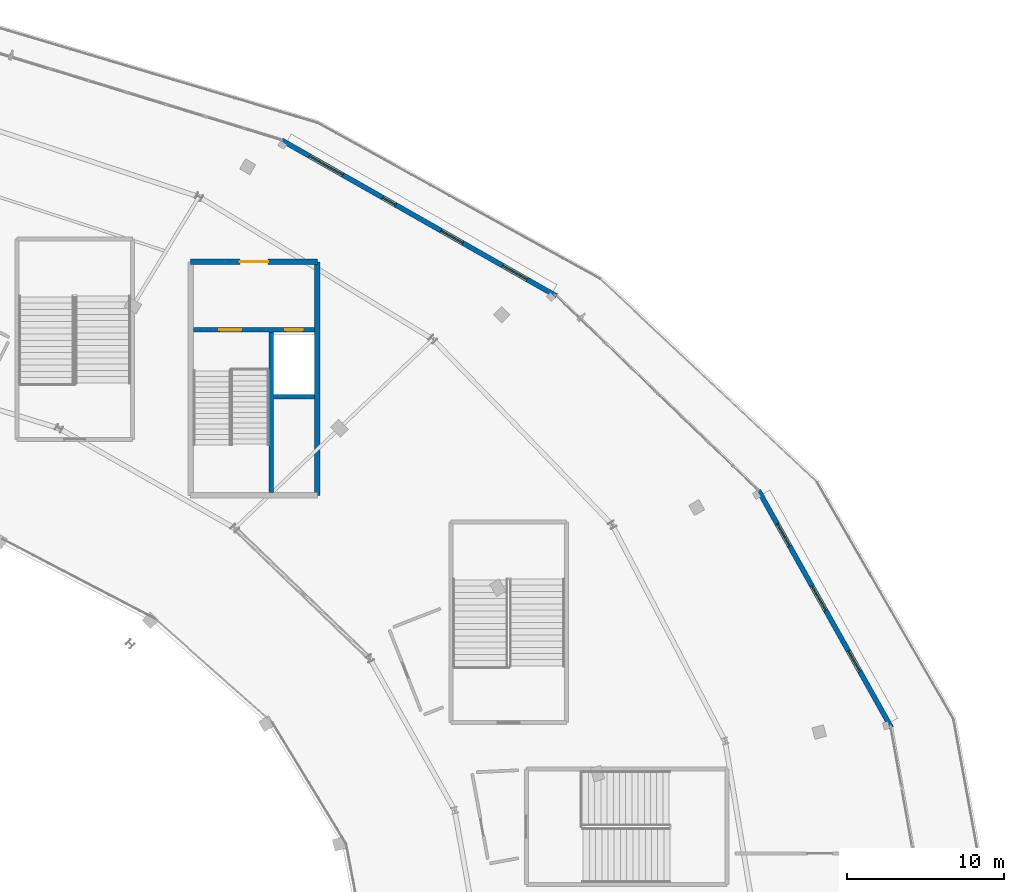
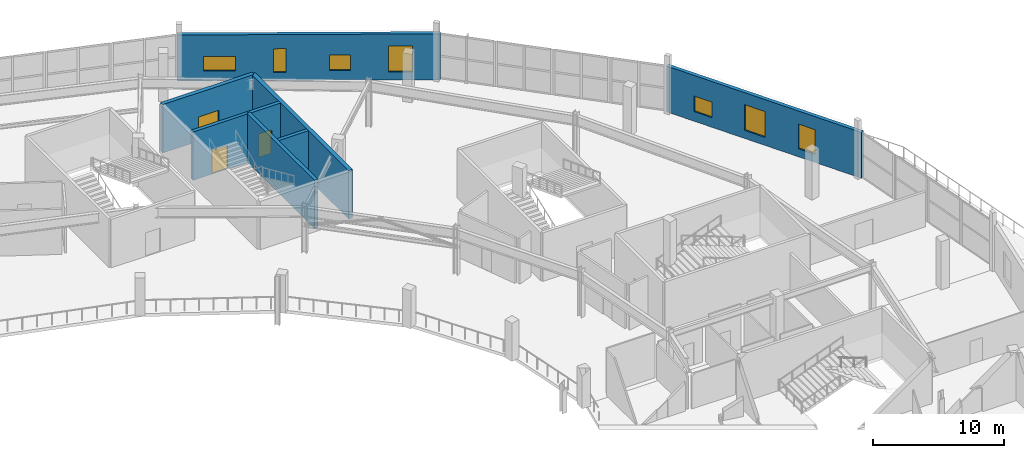
# One storey, part 94 of 123: 7 walls, 7 windows, 3 doors, 10 openings.
"""IFC4 building model written with IfcOpenShell, lengths in metres."""

from ifc_helpers import new_model, si_unit, direction, frame, frame_2d, origin, place, context, subcontext, project, spatial, rectangle, extrude, material, layer, layer_set, type_object, element, fill, save


model = new_model("IFC4")

# Units and contexts
model_context = context("Model", 3, precision=1e-05, world=origin(), true_north=direction((0.0, 1.0)))
body_context = subcontext(model_context, "Body", "Model", "MODEL_VIEW")
ifc_project = project(units=[si_unit("LENGTHUNIT", "METRE"), si_unit("AREAUNIT", "SQUARE_METRE"), si_unit("VOLUMEUNIT", "CUBIC_METRE"), si_unit("PLANEANGLEUNIT", "RADIAN"), si_unit("MASSUNIT", "GRAM", prefix="KILO")], contexts=[model_context])

# Site, building, storey
site_placement = place(None, origin())
site = spatial("IfcSite", under=ifc_project, at=site_placement, CompositionType="ELEMENT")
building_placement = place(site_placement, origin())
building = spatial("IfcBuilding", under=site, at=building_placement, Name="Kalgoora Escarpment Arena", CompositionType="ELEMENT")
storey_placement = place(building_placement, frame((0.0, 0.0, 9.89990234375)))
storey = spatial("IfcBuildingStorey", under=building, at=storey_placement, Name="L02", CompositionType="ELEMENT", Elevation=9.89990234375)

# Wall, opening, door
ifc_material_1 = material(Name="Concrete N50 (fc' 50 MPa)", Category="concrete")
ifc_layer_1 = layer(ifc_material_1, 0.35009765625)
ifc_layer_set_1 = layer_set([ifc_layer_1], Name="WAL-CORE-350")
wall_type_1 = type_object("IfcWallType", Name="WAL-CORE-350", PredefinedType="SHEAR", material=ifc_layer_set_1)
wall_1_placement = place(storey_placement, frame((127.77490234375, 109.22509765625, 0.0), z_axis=(0.0, 0.0, 1.0), x_axis=(1.0, 0.0, 0.0)))
wall_1 = element("IfcWall", 1, at=wall_1_placement, inside=storey, type_object=wall_type_1, Name="Core C4 L02 north lobby wall", PredefinedType="SHEAR", context=body_context, shape_type="SweptSolid", body=[
    extrude(rectangle(XDim=8.050048828125, YDim=0.35009765625, at=frame_2d((4.02490234375, 0.0))), origin(), (0.0, 0.0, 1.0), 4.5),
])
opening_1_placement = place(wall_1_placement, frame((3.125, 0.0, 0.0)))
opening_1 = element("IfcOpeningElement", 2, at=opening_1_placement, cuts=wall_1, Name="Opening FD-C4L", PredefinedType="OPENING", context=body_context, shape_type="SweptSolid", body=[
    extrude(rectangle(XDim=1.800048828125, YDim=2.25, at=frame_2d((0.89990234375, 1.125))), frame((0.0, 0.18505859375, 0.0), z_axis=(0.0, -1.0, 0.0), x_axis=(1.0, 0.0, 0.0)), (0.0, 0.0, 1.0), 0.3701171875),
])
ifc_material_2 = material(Name="Double fire-rated smoke-seal lobby door")
door_type_1 = type_object("IfcDoorType", Name="DR-LOBBY-1800", OperationType="NOTDEFINED", PredefinedType="DOOR", material=ifc_material_2)
door_1_placement = place(opening_1_placement, origin())
door_1 = element("IfcDoor", 3, at=door_1_placement, inside=storey, type_object=door_type_1, Name="Core C4 L02 smoke-lobby fire door", OperationType="DOUBLE_DOOR_SINGLE_SWING", OverallHeight=2.25, OverallWidth=1.800048828125, PredefinedType="DOOR", context=body_context, shape_type="SweptSolid", body=[
    extrude(rectangle(XDim=1.800048828125, YDim=2.25, at=frame_2d((0.89990234375, 1.125))), frame((0.0, 0.02490234375, 0.0), z_axis=(0.0, -1.0, 0.0), x_axis=(1.0, 0.0, 0.0)), (0.0, 0.0, 1.0), 0.050048828125),
])
fill(opening_1, door_1)

# Wall
wall_2_placement = place(storey_placement, frame((135.824951171875, 94.375, 0.0), z_axis=(0.0, 0.0, 1.0), x_axis=(0.0, 1.0, 0.0)))
element("IfcWall", 4, at=wall_2_placement, inside=storey, type_object=wall_type_1, Name="Core C4 L02 east shear wall", PredefinedType="SHEAR", context=body_context, shape_type="SweptSolid", body=[
    extrude(rectangle(XDim=14.85009765625, YDim=0.35009765625, at=frame_2d((7.425048828125, 0.0))), origin(), (0.0, 0.0, 1.0), 4.5),
])

# Wall, openings, windows
ifc_material_3 = material(Name="Insulated limestone cladding precast wall 40 MPa", Category="masonry")
ifc_layer_2 = layer(ifc_material_3, 0.31494140625)
ifc_layer_set_2 = layer_set([ifc_layer_2], Name="WAL-EXT-315")
wall_type_2 = type_object("IfcWallType", Name="WAL-EXT-315", PredefinedType="SOLIDWALL", material=ifc_layer_set_2)
wall_3_placement = place(storey_placement, frame((133.5634765625, 116.953857421875, 0.0), z_axis=(0.0, 0.0, 1.0), x_axis=(0.869839071827, -0.493335574557, 0.0)))
wall_3 = element("IfcWall", 5, at=wall_3_placement, inside=storey, type_object=wall_type_2, Name="L02 limestone-faced external wall 049", PredefinedType="SOLIDWALL", context=body_context, shape_type="SweptSolid", body=[
    extrude(rectangle(XDim=20.07958984375, YDim=0.31494140625, at=frame_2d((10.039794921875, 0.0))), origin(), (0.0, 0.0, 1.0), 4.26513671875),
])
opening_2_placement = place(wall_3_placement, frame((2.02490234375, 0.0, 0.89990234375)))
opening_2 = element("IfcOpeningElement", 6, at=opening_2_placement, cuts=wall_3, Name="Opening W-15", PredefinedType="OPENING", context=body_context, shape_type="SweptSolid", body=[
    extrude(rectangle(XDim=2.449951171875, YDim=1.35009765625, at=frame_2d((1.22509765625, 0.675048828125))), frame((0.0, 0.16748046875, 0.0), z_axis=(0.0, -1.0, 0.0), x_axis=(1.0, 0.0, 0.0)), (0.0, 0.0, 1.0), 0.3349609375),
])
opening_3_placement = place(wall_3_placement, frame((7.375, 0.0, 0.75)))
opening_3 = element("IfcOpeningElement", 7, at=opening_3_placement, cuts=wall_3, Name="Opening W-17", PredefinedType="OPENING", context=body_context, shape_type="SweptSolid", body=[
    extrude(rectangle(XDim=0.949951171875, YDim=2.199951171875, at=frame_2d((0.47509765625, 1.10009765625))), frame((0.0, 0.16748046875, 0.0), z_axis=(0.0, -1.0, 0.0), x_axis=(1.0, 0.0, 0.0)), (0.0, 0.0, 1.0), 0.3349609375),
])
opening_4_placement = place(wall_3_placement, frame((11.64990234375, 0.0, 0.89990234375)))
opening_4 = element("IfcOpeningElement", 8, at=opening_4_placement, cuts=wall_3, Name="Opening W-19", PredefinedType="OPENING", context=body_context, shape_type="SweptSolid", body=[
    extrude(rectangle(XDim=1.60009765625, YDim=1.449951171875, at=frame_2d((0.800048828125, 0.72509765625))), frame((0.0, 0.16748046875, 0.0), z_axis=(0.0, -1.0, 0.0), x_axis=(1.0, 0.0, 0.0)), (0.0, 0.0, 1.0), 0.3349609375),
])
opening_5_placement = place(wall_3_placement, frame((16.14990234375, 0.0, 0.75)))
opening_5 = element("IfcOpeningElement", 9, at=opening_5_placement, cuts=wall_3, Name="Opening W-01", PredefinedType="OPENING", context=body_context, shape_type="SweptSolid", body=[
    extrude(rectangle(XDim=1.800048828125, YDim=2.39990234375, at=frame_2d((0.89990234375, 1.199951171875))), frame((0.0, 0.16748046875, 0.0), z_axis=(0.0, -1.0, 0.0), x_axis=(1.0, 0.0, 0.0)), (0.0, 0.0, 1.0), 0.3349609375),
])
ifc_material_4 = material(Name="Low-E solar-control double glazing in champagne frame", Category="glass")
window_type_1 = type_object("IfcWindowType", Name="WIN-BOH-1600x1450", PartitioningType="SINGLE_PANEL", PredefinedType="WINDOW", material=ifc_material_4)
window_1_placement = place(opening_4_placement, origin())
window_1 = element("IfcWindow", 10, at=window_1_placement, inside=storey, type_object=window_type_1, Name="L02 scheduled facade window 057", OverallHeight=1.449951171875, OverallWidth=1.60009765625, PartitioningType="SINGLE_PANEL", PredefinedType="WINDOW", context=body_context, shape_type="SweptSolid", body=[
    extrude(rectangle(XDim=1.60009765625, YDim=1.449951171875, at=frame_2d((0.800048828125, 0.72509765625))), frame((0.0, 0.030029296875, 0.0), z_axis=(0.0, -1.0, 0.0), x_axis=(1.0, 0.0, 0.0)), (0.0, 0.0, 1.0), 0.06005859375),
])
fill(opening_4, window_1)
ifc_material_5 = material(Name="Low-E solar-control double glazing in champagne frame", Category="glass")
window_type_2 = type_object("IfcWindowType", Name="WIN-CLER-2450x1350", PartitioningType="SINGLE_PANEL", PredefinedType="WINDOW", material=ifc_material_5)
window_2_placement = place(opening_2_placement, origin())
window_2 = element("IfcWindow", 11, at=window_2_placement, inside=storey, type_object=window_type_2, Name="L02 scheduled facade window 055", OverallHeight=1.35009765625, OverallWidth=2.449951171875, PartitioningType="SINGLE_PANEL", PredefinedType="WINDOW", context=body_context, shape_type="SweptSolid", body=[
    extrude(rectangle(XDim=2.449951171875, YDim=1.35009765625, at=frame_2d((1.22509765625, 0.675048828125))), frame((0.0, 0.030029296875, 0.0), z_axis=(0.0, -1.0, 0.0), x_axis=(1.0, 0.0, 0.0)), (0.0, 0.0, 1.0), 0.06005859375),
])
fill(opening_2, window_2)
ifc_material_6 = material(Name="Low-E solar-control double glazing in champagne frame", Category="glass")
window_type_3 = type_object("IfcWindowType", Name="WIN-DECO-1800x2400", PartitioningType="SINGLE_PANEL", PredefinedType="WINDOW", material=ifc_material_6)
window_3_placement = place(opening_5_placement, origin())
window_3 = element("IfcWindow", 12, at=window_3_placement, inside=storey, type_object=window_type_3, Name="L02 scheduled facade window 058", OverallHeight=2.39990234375, OverallWidth=1.800048828125, PartitioningType="SINGLE_PANEL", PredefinedType="WINDOW", context=body_context, shape_type="SweptSolid", body=[
    extrude(rectangle(XDim=1.800048828125, YDim=2.39990234375, at=frame_2d((0.89990234375, 1.199951171875))), frame((0.0, 0.030029296875, 0.0), z_axis=(0.0, -1.0, 0.0), x_axis=(1.0, 0.0, 0.0)), (0.0, 0.0, 1.0), 0.06005859375),
])
fill(opening_5, window_3)
ifc_material_7 = material(Name="Low-E solar-control double glazing in champagne frame", Category="glass")
window_type_4 = type_object("IfcWindowType", Name="WIN-SLOT-0950x2200", PartitioningType="SINGLE_PANEL", PredefinedType="WINDOW", material=ifc_material_7)
window_4_placement = place(opening_3_placement, origin())
window_4 = element("IfcWindow", 13, at=window_4_placement, inside=storey, type_object=window_type_4, Name="L02 scheduled facade window 056", OverallHeight=2.199951171875, OverallWidth=0.949951171875, PartitioningType="SINGLE_PANEL", PredefinedType="WINDOW", context=body_context, shape_type="SweptSolid", body=[
    extrude(rectangle(XDim=0.949951171875, YDim=2.199951171875, at=frame_2d((0.47509765625, 1.10009765625))), frame((0.0, 0.030029296875, 0.0), z_axis=(0.0, -1.0, 0.0), x_axis=(1.0, 0.0, 0.0)), (0.0, 0.0, 1.0), 0.06005859375),
])
fill(opening_3, window_4)

wall_4_placement = place(storey_placement, frame((163.880126953125, 94.682373046875, 0.0), z_axis=(0.0, 0.0, 1.0), x_axis=(0.488873868997, -0.872354480823, 0.0)))
wall_4 = element("IfcWall", 14, at=wall_4_placement, inside=storey, type_object=wall_type_2, Name="L02 limestone-faced external wall 050", PredefinedType="SOLIDWALL", context=body_context, shape_type="SweptSolid", body=[
    extrude(rectangle(XDim=17.285400390625, YDim=0.31494140625, at=frame_2d((8.642578125, 0.0))), origin(), (0.0, 0.0, 1.0), 4.26513671875),
])
opening_6_placement = place(wall_4_placement, frame((2.449951171875, 0.0, 0.89990234375)))
opening_6 = element("IfcOpeningElement", 15, at=opening_6_placement, cuts=wall_4, Name="Opening W-19", PredefinedType="OPENING", context=body_context, shape_type="SweptSolid", body=[
    extrude(rectangle(XDim=1.60009765625, YDim=1.449951171875, at=frame_2d((0.800048828125, 0.72509765625))), frame((0.0, 0.16748046875, 0.0), z_axis=(0.0, -1.0, 0.0), x_axis=(1.0, 0.0, 0.0)), (0.0, 0.0, 1.0), 0.3349609375),
])
opening_7_placement = place(wall_4_placement, frame((6.949951171875, 0.0, 0.75)))
opening_7 = element("IfcOpeningElement", 16, at=opening_7_placement, cuts=wall_4, Name="Opening W-01", PredefinedType="OPENING", context=body_context, shape_type="SweptSolid", body=[
    extrude(rectangle(XDim=1.800048828125, YDim=2.39990234375, at=frame_2d((0.89990234375, 1.199951171875))), frame((0.0, 0.16748046875, 0.0), z_axis=(0.0, -1.0, 0.0), x_axis=(1.0, 0.0, 0.0)), (0.0, 0.0, 1.0), 0.3349609375),
])
opening_8_placement = place(wall_4_placement, frame((11.699951171875, 0.0, 0.75)))
opening_8 = element("IfcOpeningElement", 17, at=opening_8_placement, cuts=wall_4, Name="Opening W-03", PredefinedType="OPENING", context=body_context, shape_type="SweptSolid", body=[
    extrude(rectangle(XDim=1.5, YDim=2.300048828125, at=frame_2d((0.75, 1.14990234375))), frame((0.0, 0.16748046875, 0.0), z_axis=(0.0, -1.0, 0.0), x_axis=(1.0, 0.0, 0.0)), (0.0, 0.0, 1.0), 0.3349609375),
])
window_5_placement = place(opening_6_placement, origin())
window_5 = element("IfcWindow", 18, at=window_5_placement, inside=storey, type_object=window_type_1, Name="L02 scheduled facade window 059", OverallHeight=1.449951171875, OverallWidth=1.60009765625, PartitioningType="SINGLE_PANEL", PredefinedType="WINDOW", context=body_context, shape_type="SweptSolid", body=[
    extrude(rectangle(XDim=1.60009765625, YDim=1.449951171875, at=frame_2d((0.800048828125, 0.72509765625))), frame((0.0, 0.030029296875, 0.0), z_axis=(0.0, -1.0, 0.0), x_axis=(1.0, 0.0, 0.0)), (0.0, 0.0, 1.0), 0.06005859375),
])
fill(opening_6, window_5)
ifc_material_8 = material(Name="Low-E solar-control double glazing in champagne frame", Category="glass")
window_type_5 = type_object("IfcWindowType", Name="WIN-DECO-1500x2300", PartitioningType="SINGLE_PANEL", PredefinedType="WINDOW", material=ifc_material_8)
window_6_placement = place(opening_8_placement, origin())
window_6 = element("IfcWindow", 19, at=window_6_placement, inside=storey, type_object=window_type_5, Name="L02 scheduled facade window 061", OverallHeight=2.300048828125, OverallWidth=1.5, PartitioningType="SINGLE_PANEL", PredefinedType="WINDOW", context=body_context, shape_type="SweptSolid", body=[
    extrude(rectangle(XDim=1.5, YDim=2.300048828125, at=frame_2d((0.75, 1.14990234375))), frame((0.0, 0.030029296875, 0.0), z_axis=(0.0, -1.0, 0.0), x_axis=(1.0, 0.0, 0.0)), (0.0, 0.0, 1.0), 0.06005859375),
])
fill(opening_8, window_6)
window_7_placement = place(opening_7_placement, origin())
window_7 = element("IfcWindow", 20, at=window_7_placement, inside=storey, type_object=window_type_3, Name="L02 scheduled facade window 060", OverallHeight=2.39990234375, OverallWidth=1.800048828125, PartitioningType="SINGLE_PANEL", PredefinedType="WINDOW", context=body_context, shape_type="SweptSolid", body=[
    extrude(rectangle(XDim=1.800048828125, YDim=2.39990234375, at=frame_2d((0.89990234375, 1.199951171875))), frame((0.0, 0.030029296875, 0.0), z_axis=(0.0, -1.0, 0.0), x_axis=(1.0, 0.0, 0.0)), (0.0, 0.0, 1.0), 0.06005859375),
])
fill(opening_7, window_7)

# Wall, openings, doors
ifc_material_9 = material(Name="Concrete N50 (fc' 50 MPa)", Category="concrete")
ifc_layer_3 = layer(ifc_material_9, 0.300048828125)
ifc_layer_set_3 = layer_set([ifc_layer_3], Name="WAL-SHAFT-300")
wall_type_3 = type_object("IfcWallType", Name="WAL-SHAFT-300", PredefinedType="SHEAR", material=ifc_layer_set_3)
wall_5_placement = place(storey_placement, frame((127.949951171875, 104.89990234375, 0.0), z_axis=(0.0, 0.0, 1.0), x_axis=(1.0, 0.0, 0.0)))
wall_5 = element("IfcWall", 21, at=wall_5_placement, inside=storey, type_object=wall_type_3, Name="Core C4 L02 lobby shaft wall", PredefinedType="SHEAR", context=body_context, shape_type="SweptSolid", body=[
    extrude(rectangle(XDim=7.699951171875, YDim=0.300048828125, at=frame_2d((3.85009765625, 0.0))), origin(), (0.0, 0.0, 1.0), 4.5),
])
opening_9_placement = place(wall_5_placement, frame((1.64990234375, 0.0, 0.0)))
opening_9 = element("IfcOpeningElement", 22, at=opening_9_placement, cuts=wall_5, Name="Opening FD-ST04", PredefinedType="OPENING", context=body_context, shape_type="SweptSolid", body=[
    extrude(rectangle(XDim=1.39990234375, YDim=2.199951171875, at=frame_2d((0.699951171875, 1.10009765625))), frame((0.0, 0.159912109375, 0.0), z_axis=(0.0, -1.0, 0.0), x_axis=(1.0, 0.0, 0.0)), (0.0, 0.0, 1.0), 0.320068359375),
])
opening_10_placement = place(wall_5_placement, frame((5.85009765625, 0.0, 0.0)))
opening_10 = element("IfcOpeningElement", 23, at=opening_10_placement, cuts=wall_5, Name="Opening LD-PL2", PredefinedType="OPENING", context=body_context, shape_type="SweptSolid", body=[
    extrude(rectangle(XDim=1.10009765625, YDim=2.199951171875, at=frame_2d((0.550048828125, 1.10009765625))), frame((0.0, 0.159912109375, 0.0), z_axis=(0.0, -1.0, 0.0), x_axis=(1.0, 0.0, 0.0)), (0.0, 0.0, 1.0), 0.320068359375),
])
ifc_material_10 = material(Name="Brushed stainless steel sliding lift landing door", Category="steel")
door_type_2 = type_object("IfcDoorType", Name="DR-LD-PL2", OperationType="SLIDING_TO_LEFT", PredefinedType="DOOR", material=ifc_material_10)
door_2_placement = place(opening_10_placement, origin())
door_2 = element("IfcDoor", 24, at=door_2_placement, inside=storey, type_object=door_type_2, Name="Lift PL2 L02 sliding landing door", OperationType="SLIDING_TO_LEFT", OverallHeight=2.199951171875, OverallWidth=1.10009765625, PredefinedType="DOOR", context=body_context, shape_type="SweptSolid", body=[
    extrude(rectangle(XDim=1.10009765625, YDim=2.199951171875, at=frame_2d((0.550048828125, 1.10009765625))), frame((0.0, 0.02490234375, 0.0), z_axis=(0.0, -1.0, 0.0), x_axis=(1.0, 0.0, 0.0)), (0.0, 0.0, 1.0), 0.050048828125),
])
fill(opening_10, door_2)
ifc_material_11 = material(Name="Fire-rated steel stair leaf with vision panel", Category="steel")
door_type_3 = type_object("IfcDoorType", Name="DR-STAIR-1400", OperationType="NOTDEFINED", PredefinedType="DOOR", material=ifc_material_11)
door_3_placement = place(opening_9_placement, origin())
door_3 = element("IfcDoor", 25, at=door_3_placement, inside=storey, type_object=door_type_3, Name="Fire stair ST04 L02 fire door", OperationType="SINGLE_SWING_LEFT", OverallHeight=2.199951171875, OverallWidth=1.39990234375, PredefinedType="DOOR", context=body_context, shape_type="SweptSolid", body=[
    extrude(rectangle(XDim=1.39990234375, YDim=2.199951171875, at=frame_2d((0.699951171875, 1.10009765625))), frame((0.0, 0.02490234375, 0.0), z_axis=(0.0, -1.0, 0.0), x_axis=(1.0, 0.0, 0.0)), (0.0, 0.0, 1.0), 0.050048828125),
])
fill(opening_9, door_3)

# Walls
wall_6_placement = place(storey_placement, frame((132.89990234375, 94.550048828125, 0.0), z_axis=(0.0, 0.0, 1.0), x_axis=(0.0, 1.0, 0.0)))
element("IfcWall", 26, at=wall_6_placement, inside=storey, type_object=wall_type_3, Name="Core C4 L02 stair-lift spine wall", PredefinedType="SHEAR", context=body_context, shape_type="SweptSolid", body=[
    extrude(rectangle(XDim=10.349853515625, YDim=0.300048828125, at=frame_2d((5.1748046875, 0.0))), origin(), (0.0, 0.0, 1.0), 4.5),
])
wall_7_placement = place(storey_placement, frame((133.050048828125, 100.64990234375, 0.0), z_axis=(0.0, 0.0, 1.0), x_axis=(1.0, 0.0, 0.0)))
element("IfcWall", 27, at=wall_7_placement, inside=storey, type_object=wall_type_3, Name="Core C4 L02 lift-riser divider wall", PredefinedType="SHEAR", context=body_context, shape_type="SweptSolid", body=[
    extrude(rectangle(XDim=2.599853515625, YDim=0.300048828125, at=frame_2d((1.2998046875, 0.0))), origin(), (0.0, 0.0, 1.0), 4.5),
])

save(model, "model.ifc")
